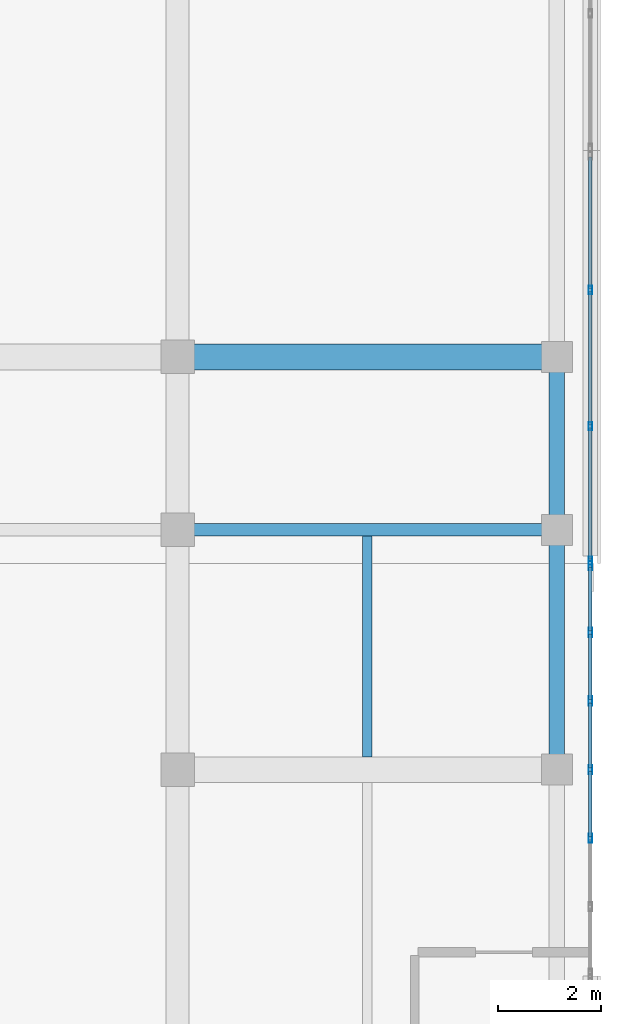
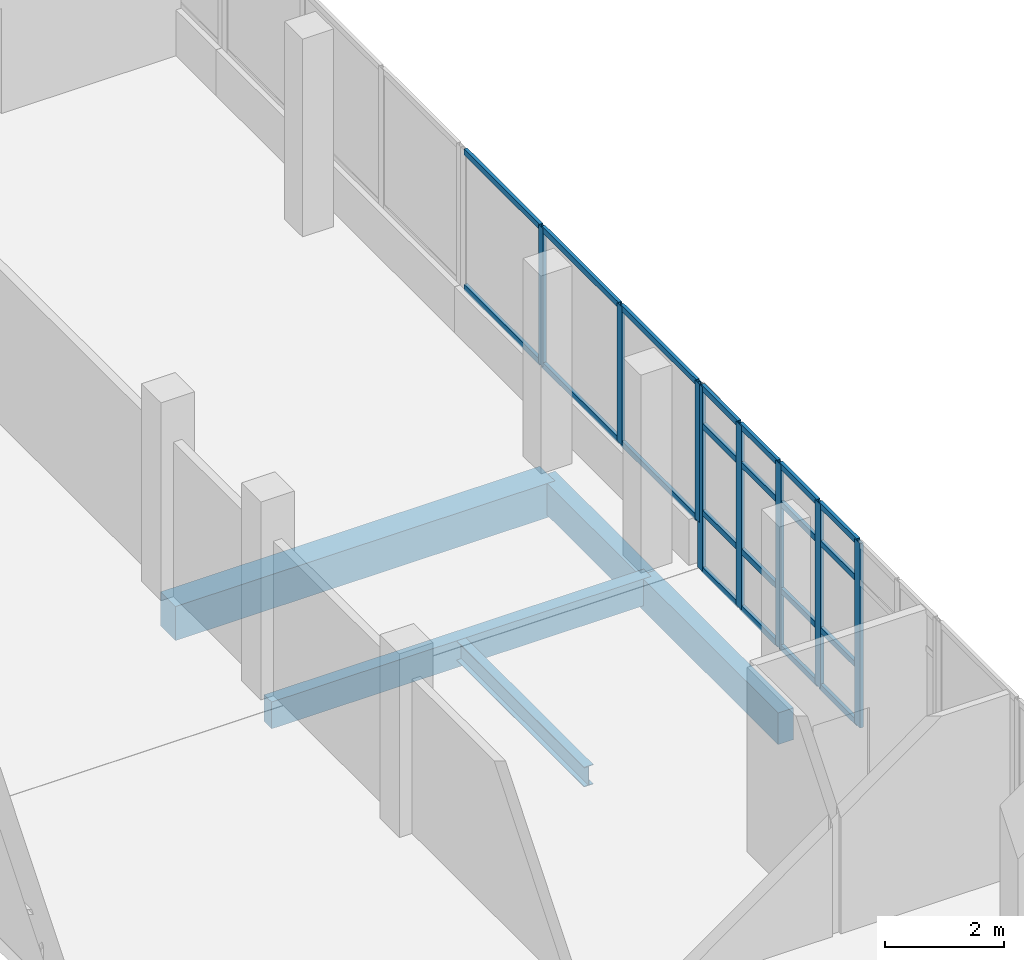
# One storey, part 50 of 78: 30 members, 5 beams, 2 elements without a shape of their own.
"""IFC4 building model written with IfcOpenShell, lengths in metres."""

from ifc_helpers import new_model, si_unit, direction, frame, origin, origin_2d, place, context, subcontext, project, spatial, rectangle, hollow_rectangle, i_section, extrude, material, material_profile, profile_set, type_object, element, aggregate, save


model = new_model("IFC4")

# Units and contexts
model_context = context("Model", 3, precision=1e-05, world=origin(), true_north=direction((0.0, 1.0)))
body_context = subcontext(model_context, "Body", "Model", "MODEL_VIEW")
ifc_project = project(units=[si_unit("LENGTHUNIT", "METRE"), si_unit("AREAUNIT", "SQUARE_METRE"), si_unit("VOLUMEUNIT", "CUBIC_METRE"), si_unit("PLANEANGLEUNIT", "RADIAN"), si_unit("MASSUNIT", "GRAM", prefix="KILO")], contexts=[model_context])

# Site, building, storey
site_placement = place(None, origin())
site = spatial("IfcSite", under=ifc_project, at=site_placement, CompositionType="ELEMENT")
building_placement = place(site_placement, origin())
building = spatial("IfcBuilding", under=site, at=building_placement, Name="Selatvlak General Hospital", CompositionType="ELEMENT")
storey_placement = place(building_placement, frame((0.0, 0.0, 23.25)))
storey = spatial("IfcBuildingStorey", under=building, at=storey_placement, Name="L05", CompositionType="ELEMENT", Elevation=23.25)

# Beams
ifc_material_1 = material(Name="Concrete C40/50", Category="concrete")
ifc_material_profile_1 = material_profile(ifc_material_1, rectangle(XDim=0.5, YDim=0.699951171875, at=origin_2d()), Name="RC-BM 500x700")
ifc_profile_set_1 = profile_set([ifc_material_profile_1], Name="Concrete C40/50")
beam_type_1 = type_object("IfcBeamType", Name="BM-G03", PredefinedType="BEAM", material=ifc_profile_set_1)
beam_1_placement = place(storey_placement, frame((174.0, 92.0, -0.6298828125), z_axis=(1.0, 0.0, 0.0), x_axis=(0.0, 1.0, 0.0)))
element("IfcBeam", 1, at=beam_1_placement, inside=storey, type_object=beam_type_1, Name="Beam BMR-L05-1921", PredefinedType="BEAM", context=body_context, shape_type="SweptSolid", body=[
    extrude(rectangle(XDim=0.5, YDim=0.699951171875, at=origin_2d()), origin(), (0.0, 0.0, 1.0), 7.35009765625),
])
ifc_material_2 = material(Name="Steel S355", Category="steel")
ifc_material_profile_2 = material_profile(ifc_material_2, i_section(OverallWidth=0.177978515625, OverallDepth=0.406494140625, WebThickness=0.0078125, FlangeThickness=0.0126953125, at=origin_2d()), Name="UB 406x178x60")
ifc_profile_set_2 = profile_set([ifc_material_profile_2], Name="Steel S355")
beam_type_2 = type_object("IfcBeamType", Name="BM-J04", PredefinedType="JOIST", material=ifc_profile_set_2)
beam_2_placement = place(storey_placement, frame((177.675048828125, 84.25, -0.48291015625), z_axis=(0.0, 1.0, 0.0), x_axis=(-1.0, 0.0, 0.0)))
element("IfcBeam", 2, at=beam_2_placement, inside=storey, type_object=beam_type_2, Name="Beam BMR-L05-2126", PredefinedType="JOIST", context=body_context, shape_type="SweptSolid", body=[
    extrude(i_section(OverallWidth=0.177978515625, OverallDepth=0.406494140625, WebThickness=0.0078125, FlangeThickness=0.0126953125, at=origin_2d()), origin(), (0.0, 0.0, 1.0), 4.27490234375),
])
ifc_material_profile_3 = material_profile(ifc_material_1, rectangle(XDim=0.300048828125, YDim=0.64990234375, at=origin_2d()), Name="RC-SP 300x650")
ifc_profile_set_3 = profile_set([ifc_material_profile_3], Name="Concrete C40/50")
beam_type_3 = type_object("IfcBeamType", Name="BM-SP1", PredefinedType="SPANDREL", material=ifc_profile_set_3)
beam_3_placement = place(storey_placement, frame((181.35009765625, 84.0, -0.60498046875), z_axis=(0.0, 1.0, 0.0), x_axis=(-1.0, 0.0, 0.0)))
element("IfcBeam", 3, at=beam_3_placement, inside=storey, type_object=beam_type_3, Name="Beam BMR-L05-2109", PredefinedType="SPANDREL", context=body_context, shape_type="SweptSolid", body=[
    extrude(rectangle(XDim=0.300048828125, YDim=0.64990234375, at=origin_2d()), origin(), (0.0, 0.0, 1.0), 4.64990234375),
])
beam_4_placement = place(storey_placement, frame((181.35009765625, 88.64990234375, -0.60498046875), z_axis=(0.0, 1.0, 0.0), x_axis=(-1.0, 0.0, 0.0)))
element("IfcBeam", 4, at=beam_4_placement, inside=storey, type_object=beam_type_3, Name="Beam BMR-L05-2110", PredefinedType="SPANDREL", context=body_context, shape_type="SweptSolid", body=[
    extrude(rectangle(XDim=0.300048828125, YDim=0.64990234375, at=origin_2d()), origin(), (0.0, 0.0, 1.0), 3.35009765625),
])
ifc_material_profile_4 = material_profile(ifc_material_1, rectangle(XDim=0.25, YDim=0.550048828125, at=origin_2d()), Name="RC-SP 250x550")
ifc_profile_set_4 = profile_set([ifc_material_profile_4], Name="Concrete C40/50")
beam_type_4 = type_object("IfcBeamType", Name="BM-SP2", PredefinedType="SPANDREL", material=ifc_profile_set_4)
beam_5_placement = place(storey_placement, frame((174.0, 88.64990234375, -0.554931640625), z_axis=(1.0, 0.0, 0.0), x_axis=(0.0, 1.0, 0.0)))
element("IfcBeam", 5, at=beam_5_placement, inside=storey, type_object=beam_type_4, Name="Beam BMR-L05-1900", PredefinedType="SPANDREL", context=body_context, shape_type="SweptSolid", body=[
    extrude(rectangle(XDim=0.25, YDim=0.550048828125, at=origin_2d()), origin(), (0.0, 0.0, 1.0), 7.35009765625),
])

# Curtain wall, members
ifc_material_3 = material(Name="Solar-control Low-E double glazing", Category="glass")
curtain_wall_type_1 = type_object("IfcCurtainWallType", Name="CW-CW-02", PredefinedType="USERDEFINED", material=ifc_material_3)
curtain_wall_1_placement = place(storey_placement, origin())
curtain_wall_1 = element("IfcCurtainWall", 6, at=curtain_wall_1_placement, inside=storey, type_object=curtain_wall_type_1, Name="Glazed facade curtain wall CW-L05-0569", ObjectType="UNITISED CURTAIN WALL", PredefinedType="USERDEFINED")
ifc_material_4 = material(Name="Dark anodised aluminium mullion", Category="aluminium")
ifc_material_profile_5 = material_profile(ifc_material_4, hollow_rectangle(XDim=0.06494140625, YDim=0.159912109375, WallThickness=0.00390625, at=origin_2d()), Name="AL-MUL 65x160x4")
ifc_profile_set_5 = profile_set([ifc_material_profile_5], Name="Dark anodised aluminium mullion")
member_type_1 = type_object("IfcMemberType", Name="CWM-01", PredefinedType="MULLION", material=ifc_profile_set_5)
member_1_placement = place(storey_placement, frame((182.0, 93.2958984375, 0.93994140625), z_axis=(0.0, 0.0, 1.0), x_axis=(1.0, 0.0, 0.0)))
member_1 = element("IfcMember", 7, at=member_1_placement, type_object=member_type_1, Name="CW-02 mullion 2", PredefinedType="MULLION", context=body_context, shape_type="SweptSolid", body=[
    extrude(hollow_rectangle(XDim=0.06494140625, YDim=0.159912109375, WallThickness=0.00390625, at=origin_2d()), origin(), (0.0, 0.0, 1.0), 2.8349609375),
])
member_2_placement = place(storey_placement, frame((182.0, 90.656005859375, 0.93994140625), z_axis=(0.0, 0.0, 1.0), x_axis=(1.0, 0.0, 0.0)))
member_2 = element("IfcMember", 8, at=member_2_placement, type_object=member_type_1, Name="CW-02 mullion 3", PredefinedType="MULLION", context=body_context, shape_type="SweptSolid", body=[
    extrude(hollow_rectangle(XDim=0.06494140625, YDim=0.159912109375, WallThickness=0.00390625, at=origin_2d()), origin(), (0.0, 0.0, 1.0), 2.8349609375),
])
member_3_placement = place(storey_placement, frame((182.0, 88.048583984375, 0.93994140625), z_axis=(0.0, 0.0, 1.0), x_axis=(1.0, 0.0, 0.0)))
member_3 = element("IfcMember", 9, at=member_3_placement, type_object=member_type_1, Name="CW-02 mullion 4", PredefinedType="MULLION", context=body_context, shape_type="SweptSolid", body=[
    extrude(hollow_rectangle(XDim=0.06494140625, YDim=0.159912109375, WallThickness=0.00390625, at=origin_2d()), origin(), (0.0, 0.0, 1.0), 2.8349609375),
])

curtain_wall_type_2 = type_object("IfcCurtainWallType", Name="CW-CW-04", PredefinedType="USERDEFINED", material=ifc_material_3)
curtain_wall_2_placement = place(storey_placement, origin())
curtain_wall_2 = element("IfcCurtainWall", 10, at=curtain_wall_2_placement, inside=storey, type_object=curtain_wall_type_2, Name="Glazed facade curtain wall CW-L05-0570", ObjectType="STICK GLAZING WALL", PredefinedType="USERDEFINED")
ifc_material_profile_6 = material_profile(ifc_material_4, hollow_rectangle(XDim=0.06494140625, YDim=0.179931640625, WallThickness=0.00439453125, at=origin_2d()), Name="AL-MUL 65x180x4.5")
ifc_profile_set_6 = profile_set([ifc_material_profile_6], Name="Dark anodised aluminium mullion")
member_type_2 = type_object("IfcMemberType", Name="CWM-02", PredefinedType="MULLION", material=ifc_profile_set_6)
member_4_placement = place(storey_placement, frame((182.0, 87.95361328125, 0.0), z_axis=(0.0, 0.0, 1.0), x_axis=(1.0, 0.0, 0.0)))
member_4 = element("IfcMember", 11, at=member_4_placement, type_object=member_type_2, Name="CW-04 mullion 1", PredefinedType="MULLION", context=body_context, shape_type="SweptSolid", body=[
    extrude(hollow_rectangle(XDim=0.06494140625, YDim=0.179931640625, WallThickness=0.00439453125, at=origin_2d()), origin(), (0.0, 0.0, 1.0), 3.77490234375),
])
member_5_placement = place(storey_placement, frame((182.0, 86.65771484375, 0.0), z_axis=(0.0, 0.0, 1.0), x_axis=(1.0, 0.0, 0.0)))
member_5 = element("IfcMember", 12, at=member_5_placement, type_object=member_type_2, Name="CW-04 mullion 2", PredefinedType="MULLION", context=body_context, shape_type="SweptSolid", body=[
    extrude(hollow_rectangle(XDim=0.06494140625, YDim=0.179931640625, WallThickness=0.00439453125, at=origin_2d()), origin(), (0.0, 0.0, 1.0), 3.77490234375),
])
member_6_placement = place(storey_placement, frame((182.0, 85.329345703125, 0.0), z_axis=(0.0, 0.0, 1.0), x_axis=(1.0, 0.0, 0.0)))
member_6 = element("IfcMember", 13, at=member_6_placement, type_object=member_type_2, Name="CW-04 mullion 3", PredefinedType="MULLION", context=body_context, shape_type="SweptSolid", body=[
    extrude(hollow_rectangle(XDim=0.06494140625, YDim=0.179931640625, WallThickness=0.00439453125, at=origin_2d()), origin(), (0.0, 0.0, 1.0), 3.77490234375),
])
member_7_placement = place(storey_placement, frame((182.0, 84.0009765625, 0.0), z_axis=(0.0, 0.0, 1.0), x_axis=(1.0, 0.0, 0.0)))
member_7 = element("IfcMember", 14, at=member_7_placement, type_object=member_type_2, Name="CW-04 mullion 4", PredefinedType="MULLION", context=body_context, shape_type="SweptSolid", body=[
    extrude(hollow_rectangle(XDim=0.06494140625, YDim=0.179931640625, WallThickness=0.00439453125, at=origin_2d()), origin(), (0.0, 0.0, 1.0), 3.77490234375),
])
member_8_placement = place(storey_placement, frame((182.0, 82.672607421875, 0.0), z_axis=(0.0, 0.0, 1.0), x_axis=(1.0, 0.0, 0.0)))
member_8 = element("IfcMember", 15, at=member_8_placement, type_object=member_type_2, Name="CW-04 mullion 5", PredefinedType="MULLION", context=body_context, shape_type="SweptSolid", body=[
    extrude(hollow_rectangle(XDim=0.06494140625, YDim=0.179931640625, WallThickness=0.00439453125, at=origin_2d()), origin(), (0.0, 0.0, 1.0), 3.77490234375),
])

# Member
ifc_material_profile_7 = material_profile(ifc_material_4, hollow_rectangle(XDim=0.06494140625, YDim=0.1201171875, WallThickness=0.00390625, at=origin_2d()), Name="AL-TRN 65x120x4")
ifc_profile_set_7 = profile_set([ifc_material_profile_7], Name="Dark anodised aluminium mullion")
member_type_3 = type_object("IfcMemberType", Name="CWT-01", PredefinedType="USERDEFINED", material=ifc_profile_set_7)
member_9_placement = place(storey_placement, frame((182.0, 95.87109375, 0.972412109375), z_axis=(0.0, -1.0, 0.0), x_axis=(1.0, 0.0, 0.0)))
member_9 = element("IfcMember", 16, at=member_9_placement, type_object=member_type_3, Name="CW-02 transom 1.1", ObjectType="TRANSOM", PredefinedType="USERDEFINED", context=body_context, shape_type="SweptSolid", body=[
    extrude(hollow_rectangle(XDim=0.06494140625, YDim=0.1201171875, WallThickness=0.00390625, at=origin_2d()), origin(), (0.0, 0.0, 1.0), 2.54248046875),
])

member_10_placement = place(storey_placement, frame((182.0, 95.87109375, 3.742431640625), z_axis=(0.0, -1.0, 0.0), x_axis=(1.0, 0.0, 0.0)))
member_10 = element("IfcMember", 17, at=member_10_placement, type_object=member_type_3, Name="CW-02 transom 1.2", ObjectType="TRANSOM", PredefinedType="USERDEFINED", context=body_context, shape_type="SweptSolid", body=[
    extrude(hollow_rectangle(XDim=0.06494140625, YDim=0.1201171875, WallThickness=0.00390625, at=origin_2d()), origin(), (0.0, 0.0, 1.0), 2.54248046875),
])

member_11_placement = place(storey_placement, frame((182.0, 93.263427734375, 0.972412109375), z_axis=(0.0, -1.0, 0.0), x_axis=(1.0, 0.0, 0.0)))
member_11 = element("IfcMember", 18, at=member_11_placement, type_object=member_type_3, Name="CW-02 transom 2.1", ObjectType="TRANSOM", PredefinedType="USERDEFINED", context=body_context, shape_type="SweptSolid", body=[
    extrude(hollow_rectangle(XDim=0.06494140625, YDim=0.1201171875, WallThickness=0.00390625, at=origin_2d()), origin(), (0.0, 0.0, 1.0), 2.574951171875),
])

member_12_placement = place(storey_placement, frame((182.0, 93.263427734375, 3.742431640625), z_axis=(0.0, -1.0, 0.0), x_axis=(1.0, 0.0, 0.0)))
member_12 = element("IfcMember", 19, at=member_12_placement, type_object=member_type_3, Name="CW-02 transom 2.2", ObjectType="TRANSOM", PredefinedType="USERDEFINED", context=body_context, shape_type="SweptSolid", body=[
    extrude(hollow_rectangle(XDim=0.06494140625, YDim=0.1201171875, WallThickness=0.00390625, at=origin_2d()), origin(), (0.0, 0.0, 1.0), 2.574951171875),
])

member_13_placement = place(storey_placement, frame((182.0, 90.62353515625, 0.972412109375), z_axis=(0.0, -1.0, 0.0), x_axis=(1.0, 0.0, 0.0)))
member_13 = element("IfcMember", 20, at=member_13_placement, type_object=member_type_3, Name="CW-02 transom 3.1", ObjectType="TRANSOM", PredefinedType="USERDEFINED", context=body_context, shape_type="SweptSolid", body=[
    extrude(hollow_rectangle(XDim=0.06494140625, YDim=0.1201171875, WallThickness=0.00390625, at=origin_2d()), origin(), (0.0, 0.0, 1.0), 2.54248046875),
])

member_14_placement = place(storey_placement, frame((182.0, 90.62353515625, 3.742431640625), z_axis=(0.0, -1.0, 0.0), x_axis=(1.0, 0.0, 0.0)))
member_14 = element("IfcMember", 21, at=member_14_placement, type_object=member_type_3, Name="CW-02 transom 3.2", ObjectType="TRANSOM", PredefinedType="USERDEFINED", context=body_context, shape_type="SweptSolid", body=[
    extrude(hollow_rectangle(XDim=0.06494140625, YDim=0.1201171875, WallThickness=0.00390625, at=origin_2d()), origin(), (0.0, 0.0, 1.0), 2.54248046875),
])

aggregate(curtain_wall_1, [member_1, member_2, member_3, member_9, member_10, member_11, member_12, member_13, member_14])

member_15_placement = place(storey_placement, frame((182.0, 87.9208984375, 0.032470703125), z_axis=(0.0, -1.0, 0.0), x_axis=(1.0, 0.0, 0.0)))
member_15 = element("IfcMember", 22, at=member_15_placement, type_object=member_type_3, Name="CW-04 transom 1.1", ObjectType="TRANSOM", PredefinedType="USERDEFINED", context=body_context, shape_type="SweptSolid", body=[
    extrude(hollow_rectangle(XDim=0.06494140625, YDim=0.1201171875, WallThickness=0.00390625, at=origin_2d()), origin(), (0.0, 0.0, 1.0), 1.230712890625),
])

member_16_placement = place(storey_placement, frame((182.0, 87.9208984375, 1.199951171875), z_axis=(0.0, -1.0, 0.0), x_axis=(1.0, 0.0, 0.0)))
member_16 = element("IfcMember", 23, at=member_16_placement, type_object=member_type_3, Name="CW-04 transom 1.2", ObjectType="TRANSOM", PredefinedType="USERDEFINED", context=body_context, shape_type="SweptSolid", body=[
    extrude(hollow_rectangle(XDim=0.06494140625, YDim=0.1201171875, WallThickness=0.00390625, at=origin_2d()), origin(), (0.0, 0.0, 1.0), 1.230712890625),
])

member_17_placement = place(storey_placement, frame((182.0, 87.9208984375, 2.97509765625), z_axis=(0.0, -1.0, 0.0), x_axis=(1.0, 0.0, 0.0)))
member_17 = element("IfcMember", 24, at=member_17_placement, type_object=member_type_3, Name="CW-04 transom 1.3", ObjectType="TRANSOM", PredefinedType="USERDEFINED", context=body_context, shape_type="SweptSolid", body=[
    extrude(hollow_rectangle(XDim=0.06494140625, YDim=0.1201171875, WallThickness=0.00390625, at=origin_2d()), origin(), (0.0, 0.0, 1.0), 1.230712890625),
])

member_18_placement = place(storey_placement, frame((182.0, 87.9208984375, 3.742431640625), z_axis=(0.0, -1.0, 0.0), x_axis=(1.0, 0.0, 0.0)))
member_18 = element("IfcMember", 25, at=member_18_placement, type_object=member_type_3, Name="CW-04 transom 1.4", ObjectType="TRANSOM", PredefinedType="USERDEFINED", context=body_context, shape_type="SweptSolid", body=[
    extrude(hollow_rectangle(XDim=0.06494140625, YDim=0.1201171875, WallThickness=0.00390625, at=origin_2d()), origin(), (0.0, 0.0, 1.0), 1.230712890625),
])

member_19_placement = place(storey_placement, frame((182.0, 86.625244140625, 0.032470703125), z_axis=(0.0, -1.0, 0.0), x_axis=(1.0, 0.0, 0.0)))
member_19 = element("IfcMember", 26, at=member_19_placement, type_object=member_type_3, Name="CW-04 transom 2.1", ObjectType="TRANSOM", PredefinedType="USERDEFINED", context=body_context, shape_type="SweptSolid", body=[
    extrude(hollow_rectangle(XDim=0.06494140625, YDim=0.1201171875, WallThickness=0.00390625, at=origin_2d()), origin(), (0.0, 0.0, 1.0), 1.263427734375),
])

member_20_placement = place(storey_placement, frame((182.0, 86.625244140625, 1.199951171875), z_axis=(0.0, -1.0, 0.0), x_axis=(1.0, 0.0, 0.0)))
member_20 = element("IfcMember", 27, at=member_20_placement, type_object=member_type_3, Name="CW-04 transom 2.2", ObjectType="TRANSOM", PredefinedType="USERDEFINED", context=body_context, shape_type="SweptSolid", body=[
    extrude(hollow_rectangle(XDim=0.06494140625, YDim=0.1201171875, WallThickness=0.00390625, at=origin_2d()), origin(), (0.0, 0.0, 1.0), 1.263427734375),
])

member_21_placement = place(storey_placement, frame((182.0, 86.625244140625, 2.97509765625), z_axis=(0.0, -1.0, 0.0), x_axis=(1.0, 0.0, 0.0)))
member_21 = element("IfcMember", 28, at=member_21_placement, type_object=member_type_3, Name="CW-04 transom 2.3", ObjectType="TRANSOM", PredefinedType="USERDEFINED", context=body_context, shape_type="SweptSolid", body=[
    extrude(hollow_rectangle(XDim=0.06494140625, YDim=0.1201171875, WallThickness=0.00390625, at=origin_2d()), origin(), (0.0, 0.0, 1.0), 1.263427734375),
])

member_22_placement = place(storey_placement, frame((182.0, 86.625244140625, 3.742431640625), z_axis=(0.0, -1.0, 0.0), x_axis=(1.0, 0.0, 0.0)))
member_22 = element("IfcMember", 29, at=member_22_placement, type_object=member_type_3, Name="CW-04 transom 2.4", ObjectType="TRANSOM", PredefinedType="USERDEFINED", context=body_context, shape_type="SweptSolid", body=[
    extrude(hollow_rectangle(XDim=0.06494140625, YDim=0.1201171875, WallThickness=0.00390625, at=origin_2d()), origin(), (0.0, 0.0, 1.0), 1.263427734375),
])

member_23_placement = place(storey_placement, frame((182.0, 85.296875, 0.032470703125), z_axis=(0.0, -1.0, 0.0), x_axis=(1.0, 0.0, 0.0)))
member_23 = element("IfcMember", 30, at=member_23_placement, type_object=member_type_3, Name="CW-04 transom 3.1", ObjectType="TRANSOM", PredefinedType="USERDEFINED", context=body_context, shape_type="SweptSolid", body=[
    extrude(hollow_rectangle(XDim=0.06494140625, YDim=0.1201171875, WallThickness=0.00390625, at=origin_2d()), origin(), (0.0, 0.0, 1.0), 1.263427734375),
])

member_24_placement = place(storey_placement, frame((182.0, 85.296875, 1.199951171875), z_axis=(0.0, -1.0, 0.0), x_axis=(1.0, 0.0, 0.0)))
member_24 = element("IfcMember", 31, at=member_24_placement, type_object=member_type_3, Name="CW-04 transom 3.2", ObjectType="TRANSOM", PredefinedType="USERDEFINED", context=body_context, shape_type="SweptSolid", body=[
    extrude(hollow_rectangle(XDim=0.06494140625, YDim=0.1201171875, WallThickness=0.00390625, at=origin_2d()), origin(), (0.0, 0.0, 1.0), 1.263427734375),
])

member_25_placement = place(storey_placement, frame((182.0, 85.296875, 2.97509765625), z_axis=(0.0, -1.0, 0.0), x_axis=(1.0, 0.0, 0.0)))
member_25 = element("IfcMember", 32, at=member_25_placement, type_object=member_type_3, Name="CW-04 transom 3.3", ObjectType="TRANSOM", PredefinedType="USERDEFINED", context=body_context, shape_type="SweptSolid", body=[
    extrude(hollow_rectangle(XDim=0.06494140625, YDim=0.1201171875, WallThickness=0.00390625, at=origin_2d()), origin(), (0.0, 0.0, 1.0), 1.263427734375),
])

member_26_placement = place(storey_placement, frame((182.0, 85.296875, 3.742431640625), z_axis=(0.0, -1.0, 0.0), x_axis=(1.0, 0.0, 0.0)))
member_26 = element("IfcMember", 33, at=member_26_placement, type_object=member_type_3, Name="CW-04 transom 3.4", ObjectType="TRANSOM", PredefinedType="USERDEFINED", context=body_context, shape_type="SweptSolid", body=[
    extrude(hollow_rectangle(XDim=0.06494140625, YDim=0.1201171875, WallThickness=0.00390625, at=origin_2d()), origin(), (0.0, 0.0, 1.0), 1.263427734375),
])

member_27_placement = place(storey_placement, frame((182.0, 83.968505859375, 0.032470703125), z_axis=(0.0, -1.0, 0.0), x_axis=(1.0, 0.0, 0.0)))
member_27 = element("IfcMember", 34, at=member_27_placement, type_object=member_type_3, Name="CW-04 transom 4.1", ObjectType="TRANSOM", PredefinedType="USERDEFINED", context=body_context, shape_type="SweptSolid", body=[
    extrude(hollow_rectangle(XDim=0.06494140625, YDim=0.1201171875, WallThickness=0.00390625, at=origin_2d()), origin(), (0.0, 0.0, 1.0), 1.263427734375),
])

member_28_placement = place(storey_placement, frame((182.0, 83.968505859375, 1.199951171875), z_axis=(0.0, -1.0, 0.0), x_axis=(1.0, 0.0, 0.0)))
member_28 = element("IfcMember", 35, at=member_28_placement, type_object=member_type_3, Name="CW-04 transom 4.2", ObjectType="TRANSOM", PredefinedType="USERDEFINED", context=body_context, shape_type="SweptSolid", body=[
    extrude(hollow_rectangle(XDim=0.06494140625, YDim=0.1201171875, WallThickness=0.00390625, at=origin_2d()), origin(), (0.0, 0.0, 1.0), 1.263427734375),
])

member_29_placement = place(storey_placement, frame((182.0, 83.968505859375, 2.97509765625), z_axis=(0.0, -1.0, 0.0), x_axis=(1.0, 0.0, 0.0)))
member_29 = element("IfcMember", 36, at=member_29_placement, type_object=member_type_3, Name="CW-04 transom 4.3", ObjectType="TRANSOM", PredefinedType="USERDEFINED", context=body_context, shape_type="SweptSolid", body=[
    extrude(hollow_rectangle(XDim=0.06494140625, YDim=0.1201171875, WallThickness=0.00390625, at=origin_2d()), origin(), (0.0, 0.0, 1.0), 1.263427734375),
])

member_30_placement = place(storey_placement, frame((182.0, 83.968505859375, 3.742431640625), z_axis=(0.0, -1.0, 0.0), x_axis=(1.0, 0.0, 0.0)))
member_30 = element("IfcMember", 37, at=member_30_placement, type_object=member_type_3, Name="CW-04 transom 4.4", ObjectType="TRANSOM", PredefinedType="USERDEFINED", context=body_context, shape_type="SweptSolid", body=[
    extrude(hollow_rectangle(XDim=0.06494140625, YDim=0.1201171875, WallThickness=0.00390625, at=origin_2d()), origin(), (0.0, 0.0, 1.0), 1.263427734375),
])

aggregate(curtain_wall_2, [member_4, member_5, member_6, member_7, member_8, member_15, member_16, member_17, member_18, member_19, member_20, member_21, member_22, member_23, member_24, member_25, member_26, member_27, member_28, member_29, member_30])

save(model, "model.ifc")
